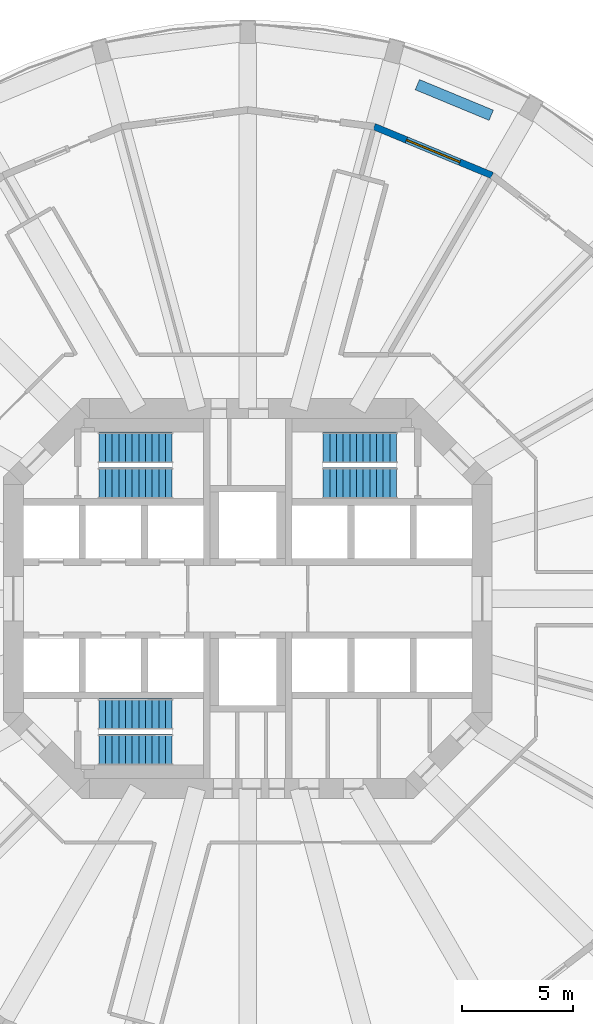
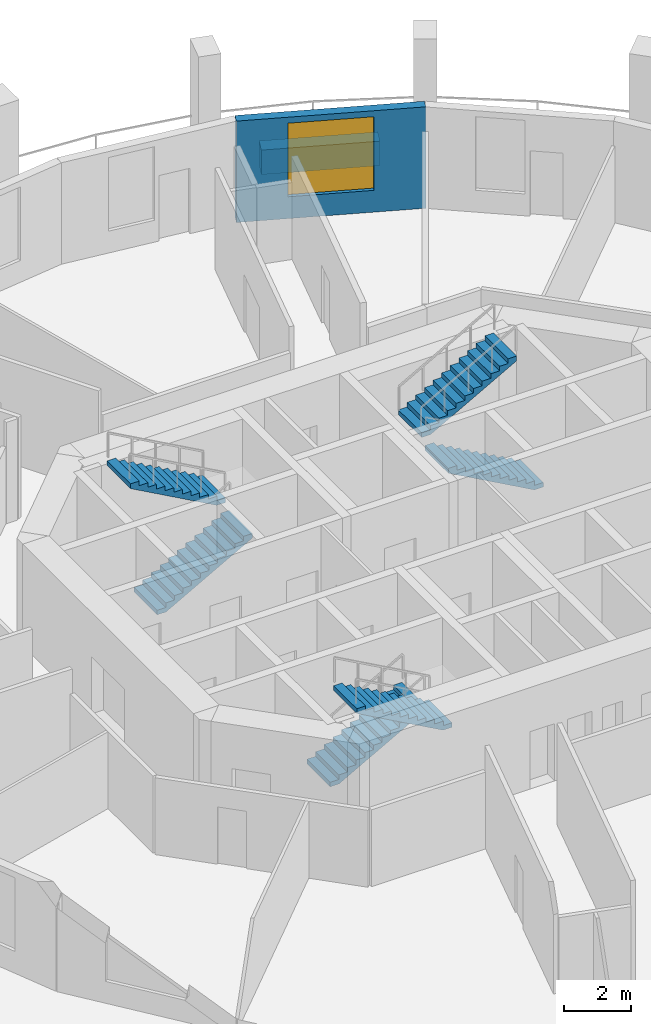
# One storey, part 7 of 9: 6 stair flights, 2 walls, 1 window, 1 opening, 3 elements without a shape of their own.
"""IFC4 building model written with IfcOpenShell, lengths in metres."""

from ifc_helpers import new_model, si_unit, direction, frame, frame_2d, origin, place, context, subcontext, project, spatial, polyline, rectangle, outline, extrude, material, layer, layer_set, type_object, element, fill, aggregate, save


model = new_model("IFC4")

# Units and contexts
model_context = context("Model", 3, precision=1e-05, world=origin(), true_north=direction((0.0, 1.0)))
body_context = subcontext(model_context, "Body", "Model", "MODEL_VIEW")
ifc_project = project(units=[si_unit("LENGTHUNIT", "METRE"), si_unit("AREAUNIT", "SQUARE_METRE"), si_unit("VOLUMEUNIT", "CUBIC_METRE"), si_unit("PLANEANGLEUNIT", "RADIAN"), si_unit("MASSUNIT", "GRAM", prefix="KILO")], contexts=[model_context])

# Site, building, storey
site_placement = place(None, origin())
site = spatial("IfcSite", under=ifc_project, at=site_placement, CompositionType="ELEMENT")
building_placement = place(site_placement, origin())
building = spatial("IfcBuilding", under=site, at=building_placement, Name="Torre Triforio", CompositionType="ELEMENT")
storey_placement = place(building_placement, frame((0.0, 0.0, 106.60009765625)))
storey = spatial("IfcBuildingStorey", under=building, at=storey_placement, Name="L23", CompositionType="ELEMENT", Elevation=106.60009765625)

# Wall
ifc_material_1 = material(Name="Limestone cladding", Category="masonry")
ifc_layer_1 = layer(ifc_material_1, 0.10009765625)
ifc_material_2 = material(Name="Concrete C40", Category="concrete")
ifc_layer_2 = layer(ifc_material_2, 0.39990234375)
ifc_layer_set_1 = layer_set([ifc_layer_1, ifc_layer_2], Name="Limestone cladding / Concrete C40")
wall_type_1 = type_object("IfcWallType", Name="Planter wall 500", PredefinedType="PARAPET", material=ifc_layer_set_1)
wall_1_placement = place(storey_placement, frame((10.962158203125, 21.761474609375, 0.0), z_axis=(0.0, 0.0, 1.0), x_axis=(-0.923875488976, 0.382693194178, 0.0)))
element("IfcWall", 1, at=wall_1_placement, inside=storey, type_object=wall_type_1, Name="Planter L23 bay 05", PredefinedType="PARAPET", context=body_context, shape_type="SweptSolid", body=[
    extrude(rectangle(XDim=3.599853515625, YDim=0.5, at=frame_2d((1.7998046875, 0.0))), origin(), (0.0, 0.0, 1.0), 0.89990234375),
])

# Wall, opening, window
ifc_layer_3 = layer(ifc_material_1, 0.10009765625)
ifc_layer_4 = layer(ifc_material_2, 0.199951171875)
ifc_layer_set_2 = layer_set([ifc_layer_3, ifc_layer_4], Name="Limestone cladding / Concrete C40")
wall_type_2 = type_object("IfcWallType", Name="Stone-faced composite wall 300", PredefinedType="STANDARD", material=ifc_layer_set_2)
wall_2_placement = place(storey_placement, frame((11.0, 19.052490234375, 0.0), z_axis=(0.0, 0.0, 1.0), x_axis=(-0.923866055759, 0.382715966503, 0.0)))
wall_2 = element("IfcWall", 2, at=wall_2_placement, inside=storey, type_object=wall_type_2, Name="External wall L23 bay 05", PredefinedType="STANDARD", context=body_context, shape_type="SweptSolid", body=[
    extrude(rectangle(XDim=5.7431640625, YDim=0.300048828125, at=frame_2d((2.87158203125, 0.0))), origin(), (0.0, 0.0, 1.0), 3.719970703125),
])
opening_placement = place(wall_2_placement, frame((1.571533203125, 0.0, 0.800048828125)))
opening = element("IfcOpeningElement", 3, at=opening_placement, cuts=wall_2, Name="Opening N7-W05", PredefinedType="OPENING", context=body_context, shape_type="SweptSolid", body=[
    extrude(rectangle(XDim=2.60009765625, YDim=2.699951171875, at=frame_2d((1.300048828125, 1.35009765625))), frame((0.0, 0.159912109375, 0.0), z_axis=(0.0, -1.0, 0.0), x_axis=(1.0, 0.0, 0.0)), (0.0, 0.0, 1.0), 0.320068359375),
])
ifc_material_3 = material(Name="Aluminium frame with clear double glazing", Category="aluminium")
window_type = type_object("IfcWindowType", Name="Punched window 2600 x 2700", PartitioningType="DOUBLE_PANEL_VERTICAL", PredefinedType="WINDOW", material=ifc_material_3)
window_placement = place(opening_placement, origin())
window = element("IfcWindow", 4, at=window_placement, inside=storey, type_object=window_type, Name="Window EWN2 L23 bay 05", OverallHeight=2.699951171875, OverallWidth=2.60009765625, PartitioningType="SINGLE_PANEL", PredefinedType="WINDOW", context=body_context, shape_type="SweptSolid", body=[
    extrude(rectangle(XDim=2.60009765625, YDim=2.699951171875, at=frame_2d((1.300048828125, 1.35009765625))), frame((0.0, 0.030029296875, 0.0), z_axis=(0.0, -1.0, 0.0), x_axis=(1.0, 0.0, 0.0)), (0.0, 0.0, 1.0), 0.06005859375),
])
fill(opening, window)

# Stair, stair flights
stair_type = type_object("IfcStairType", Name="STAIR HALF-TURN", PredefinedType="HALF_TURN_STAIR", material=ifc_material_2)
stair_1_placement = place(storey_placement, origin())
stair_1 = element("IfcStair", 5, at=stair_1_placement, inside=storey, type_object=stair_type, Name="Exit stair 1", PredefinedType="HALF_TURN_STAIR")
stair_flight_type = type_object("IfcStairFlightType", Name="STAIR FLIGHT 1400", PredefinedType="STRAIGHT", material=ifc_material_2)
stair_flight_1_placement = place(storey_placement, frame((-6.699951171875, 5.199951171875, 0.0), z_axis=(0.0, 0.0, 1.0), x_axis=(1.0, 0.0, 0.0)))
stair_flight_1 = element("IfcStairFlight", 6, at=stair_flight_1_placement, type_object=stair_flight_type, Name="ST1 flight 1", NumberOfRisers=12, NumberOfTreads=11, PredefinedType="STRAIGHT", RiserHeight=0.166666667, TreadLength=0.3, context=body_context, shape_type="SweptSolid", body=[
    extrude(outline(polyline([(0.0, 0.0), (0.0, 0.166748046875), (0.300048828125, 0.166748046875), (0.300048828125, 0.333251953125), (0.60009765625, 0.333251953125), (0.60009765625, 0.5), (0.89990234375, 0.5), (0.89990234375, 0.666748046875), (1.199951171875, 0.666748046875), (1.199951171875, 0.833251953125), (1.5, 0.833251953125), (1.5, 1.0), (1.800048828125, 1.0), (1.800048828125, 1.166748046875), (2.10009765625, 1.166748046875), (2.10009765625, 1.333251953125), (2.39990234375, 1.333251953125), (2.39990234375, 1.5), (2.699951171875, 1.5), (2.699951171875, 1.666748046875), (3.0, 1.666748046875), (3.0, 1.833251953125), (3.300048828125, 1.833251953125), (3.300048828125, 2.0), (3.300048828125, 1.661865234375), (0.30859375, 0.0), (0.0, 0.0)])), frame((0.0, 0.699951171875, 0.0), z_axis=(0.0, -1.0, 0.0), x_axis=(1.0, 0.0, 0.0)), (0.0, 0.0, 1.0), 1.39990234375),
])
stair_flight_2_placement = place(storey_placement, frame((-3.39990234375, 6.800048828125, 2.0), z_axis=(0.0, 0.0, 1.0), x_axis=(-1.0, 0.0, 0.0)))
stair_flight_2 = element("IfcStairFlight", 7, at=stair_flight_2_placement, type_object=stair_flight_type, Name="ST1 flight 2", NumberOfRisers=12, NumberOfTreads=11, PredefinedType="STRAIGHT", RiserHeight=0.166666667, TreadLength=0.3, context=body_context, shape_type="SweptSolid", body=[
    extrude(outline(polyline([(0.0, 0.0), (0.0, 0.166748046875), (0.300048828125, 0.166748046875), (0.300048828125, 0.333251953125), (0.60009765625, 0.333251953125), (0.60009765625, 0.5), (0.89990234375, 0.5), (0.89990234375, 0.666748046875), (1.199951171875, 0.666748046875), (1.199951171875, 0.833251953125), (1.5, 0.833251953125), (1.5, 1.0), (1.800048828125, 1.0), (1.800048828125, 1.166748046875), (2.10009765625, 1.166748046875), (2.10009765625, 1.333251953125), (2.39990234375, 1.333251953125), (2.39990234375, 1.5), (2.699951171875, 1.5), (2.699951171875, 1.666748046875), (3.0, 1.666748046875), (3.0, 1.833251953125), (3.300048828125, 1.833251953125), (3.300048828125, 2.0), (3.300048828125, 1.661865234375), (0.30859375, 0.0), (0.0, 0.0)])), frame((0.0, 0.699951171875, 0.0), z_axis=(0.0, -1.0, 0.0), x_axis=(1.0, 0.0, 0.0)), (0.0, 0.0, 1.0), 1.39990234375),
])
aggregate(stair_1, [stair_flight_1, stair_flight_2])

stair_2_placement = place(storey_placement, origin())
stair_2 = element("IfcStair", 8, at=stair_2_placement, inside=storey, type_object=stair_type, Name="Exit stair 2", PredefinedType="HALF_TURN_STAIR")
stair_flight_3_placement = place(storey_placement, frame((6.699951171875, 5.199951171875, 0.0), z_axis=(0.0, 0.0, 1.0), x_axis=(-1.0, 0.0, 0.0)))
stair_flight_3 = element("IfcStairFlight", 9, at=stair_flight_3_placement, type_object=stair_flight_type, Name="ST2 flight 1", NumberOfRisers=12, NumberOfTreads=11, PredefinedType="STRAIGHT", RiserHeight=0.166666667, TreadLength=0.3, context=body_context, shape_type="SweptSolid", body=[
    extrude(outline(polyline([(0.0, 0.0), (0.0, 0.166748046875), (0.300048828125, 0.166748046875), (0.300048828125, 0.333251953125), (0.60009765625, 0.333251953125), (0.60009765625, 0.5), (0.89990234375, 0.5), (0.89990234375, 0.666748046875), (1.199951171875, 0.666748046875), (1.199951171875, 0.833251953125), (1.5, 0.833251953125), (1.5, 1.0), (1.800048828125, 1.0), (1.800048828125, 1.166748046875), (2.10009765625, 1.166748046875), (2.10009765625, 1.333251953125), (2.39990234375, 1.333251953125), (2.39990234375, 1.5), (2.699951171875, 1.5), (2.699951171875, 1.666748046875), (3.0, 1.666748046875), (3.0, 1.833251953125), (3.300048828125, 1.833251953125), (3.300048828125, 2.0), (3.300048828125, 1.661865234375), (0.30859375, 0.0), (0.0, 0.0)])), frame((0.0, 0.699951171875, 0.0), z_axis=(0.0, -1.0, 0.0), x_axis=(1.0, 0.0, 0.0)), (0.0, 0.0, 1.0), 1.39990234375),
])
stair_flight_4_placement = place(storey_placement, frame((3.39990234375, 6.800048828125, 2.0), z_axis=(0.0, 0.0, 1.0), x_axis=(1.0, 0.0, 0.0)))
stair_flight_4 = element("IfcStairFlight", 10, at=stair_flight_4_placement, type_object=stair_flight_type, Name="ST2 flight 2", NumberOfRisers=12, NumberOfTreads=11, PredefinedType="STRAIGHT", RiserHeight=0.166666667, TreadLength=0.3, context=body_context, shape_type="SweptSolid", body=[
    extrude(outline(polyline([(0.0, 0.0), (0.0, 0.166748046875), (0.300048828125, 0.166748046875), (0.300048828125, 0.333251953125), (0.60009765625, 0.333251953125), (0.60009765625, 0.5), (0.89990234375, 0.5), (0.89990234375, 0.666748046875), (1.199951171875, 0.666748046875), (1.199951171875, 0.833251953125), (1.5, 0.833251953125), (1.5, 1.0), (1.800048828125, 1.0), (1.800048828125, 1.166748046875), (2.10009765625, 1.166748046875), (2.10009765625, 1.333251953125), (2.39990234375, 1.333251953125), (2.39990234375, 1.5), (2.699951171875, 1.5), (2.699951171875, 1.666748046875), (3.0, 1.666748046875), (3.0, 1.833251953125), (3.300048828125, 1.833251953125), (3.300048828125, 2.0), (3.300048828125, 1.661865234375), (0.30859375, 0.0), (0.0, 0.0)])), frame((0.0, 0.699951171875, 0.0), z_axis=(0.0, -1.0, 0.0), x_axis=(1.0, 0.0, 0.0)), (0.0, 0.0, 1.0), 1.39990234375),
])
aggregate(stair_2, [stair_flight_3, stair_flight_4])

stair_3_placement = place(storey_placement, origin())
stair_3 = element("IfcStair", 11, at=stair_3_placement, inside=storey, type_object=stair_type, Name="Exit stair 3", PredefinedType="HALF_TURN_STAIR")
stair_flight_5_placement = place(storey_placement, frame((-6.699951171875, -5.199951171875, 0.0), z_axis=(0.0, 0.0, 1.0), x_axis=(1.0, 0.0, 0.0)))
stair_flight_5 = element("IfcStairFlight", 12, at=stair_flight_5_placement, type_object=stair_flight_type, Name="ST3 flight 1", NumberOfRisers=12, NumberOfTreads=11, PredefinedType="STRAIGHT", RiserHeight=0.166666667, TreadLength=0.3, context=body_context, shape_type="SweptSolid", body=[
    extrude(outline(polyline([(0.0, 0.0), (0.0, 0.166748046875), (0.300048828125, 0.166748046875), (0.300048828125, 0.333251953125), (0.60009765625, 0.333251953125), (0.60009765625, 0.5), (0.89990234375, 0.5), (0.89990234375, 0.666748046875), (1.199951171875, 0.666748046875), (1.199951171875, 0.833251953125), (1.5, 0.833251953125), (1.5, 1.0), (1.800048828125, 1.0), (1.800048828125, 1.166748046875), (2.10009765625, 1.166748046875), (2.10009765625, 1.333251953125), (2.39990234375, 1.333251953125), (2.39990234375, 1.5), (2.699951171875, 1.5), (2.699951171875, 1.666748046875), (3.0, 1.666748046875), (3.0, 1.833251953125), (3.300048828125, 1.833251953125), (3.300048828125, 2.0), (3.300048828125, 1.661865234375), (0.30859375, 0.0), (0.0, 0.0)])), frame((0.0, 0.699951171875, 0.0), z_axis=(0.0, -1.0, 0.0), x_axis=(1.0, 0.0, 0.0)), (0.0, 0.0, 1.0), 1.39990234375),
])
stair_flight_6_placement = place(storey_placement, frame((-3.39990234375, -6.800048828125, 2.0), z_axis=(0.0, 0.0, 1.0), x_axis=(-1.0, 0.0, 0.0)))
stair_flight_6 = element("IfcStairFlight", 13, at=stair_flight_6_placement, type_object=stair_flight_type, Name="ST3 flight 2", NumberOfRisers=12, NumberOfTreads=11, PredefinedType="STRAIGHT", RiserHeight=0.166666667, TreadLength=0.3, context=body_context, shape_type="SweptSolid", body=[
    extrude(outline(polyline([(0.0, 0.0), (0.0, 0.166748046875), (0.300048828125, 0.166748046875), (0.300048828125, 0.333251953125), (0.60009765625, 0.333251953125), (0.60009765625, 0.5), (0.89990234375, 0.5), (0.89990234375, 0.666748046875), (1.199951171875, 0.666748046875), (1.199951171875, 0.833251953125), (1.5, 0.833251953125), (1.5, 1.0), (1.800048828125, 1.0), (1.800048828125, 1.166748046875), (2.10009765625, 1.166748046875), (2.10009765625, 1.333251953125), (2.39990234375, 1.333251953125), (2.39990234375, 1.5), (2.699951171875, 1.5), (2.699951171875, 1.666748046875), (3.0, 1.666748046875), (3.0, 1.833251953125), (3.300048828125, 1.833251953125), (3.300048828125, 2.0), (3.300048828125, 1.661865234375), (0.30859375, 0.0), (0.0, 0.0)])), frame((0.0, 0.699951171875, 0.0), z_axis=(0.0, -1.0, 0.0), x_axis=(1.0, 0.0, 0.0)), (0.0, 0.0, 1.0), 1.39990234375),
])
aggregate(stair_3, [stair_flight_5, stair_flight_6])

save(model, "model.ifc")
